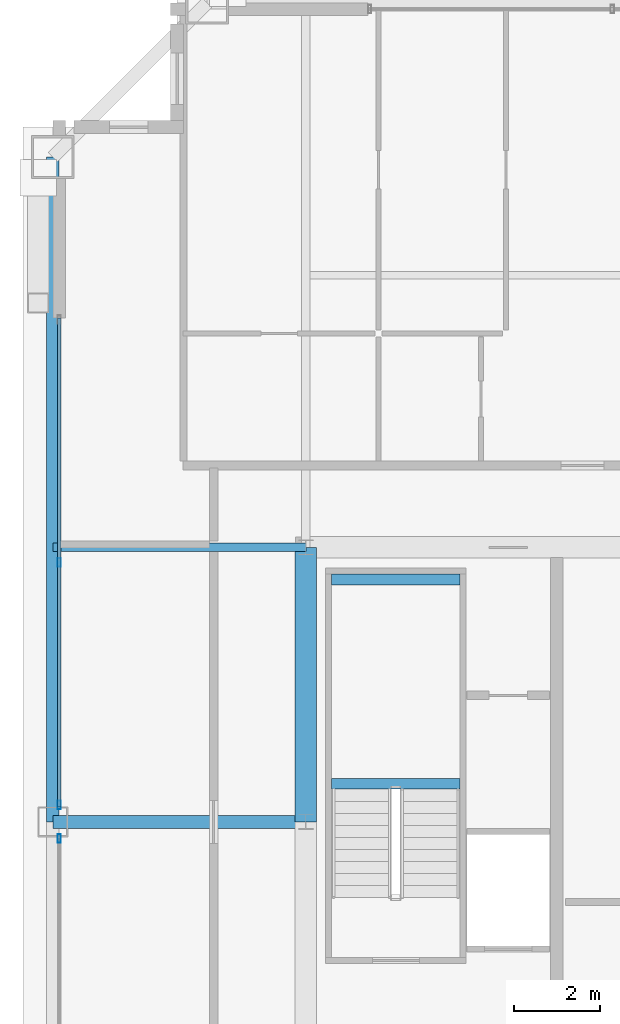
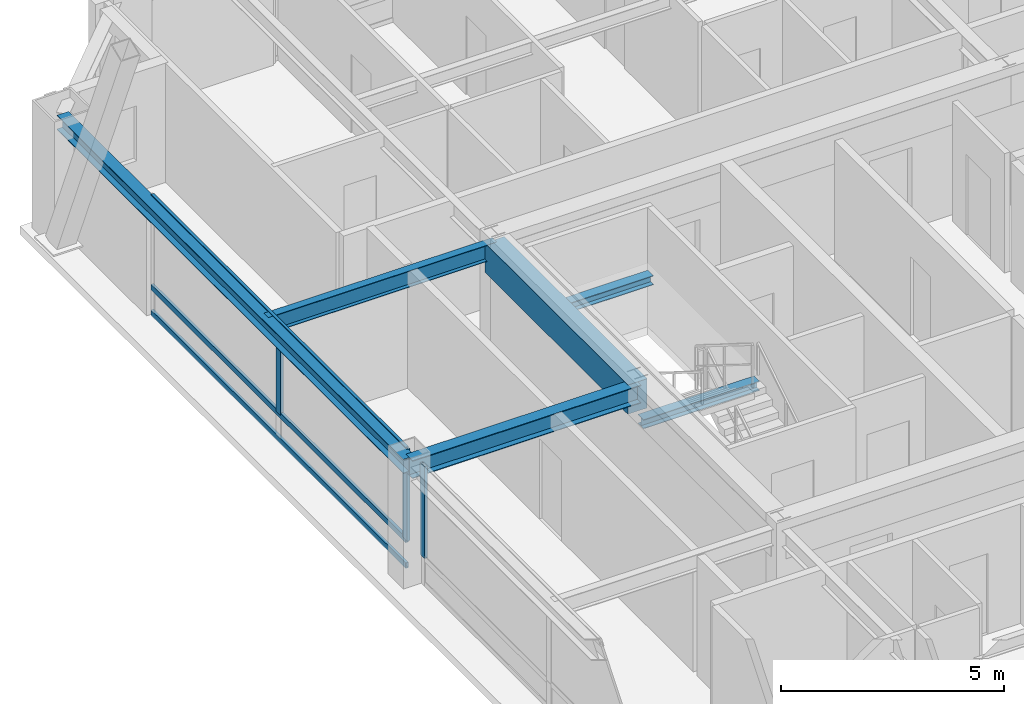
# One storey, part 11 of 35: 6 beams, 6 members, 2 elements without a shape of their own.
"""IFC4 building model written with IfcOpenShell, lengths in metres."""

import ifcopenshell
import ifcopenshell.guid

model = None  # the IFC model being written
_history = None  # IfcOwnerHistory: only IFC2X3 demands one
_inside = {}  # id of a spatial element -> (the spatial element, [elements in it])
_under = {}  # id of a project, library or spatial element -> (it, [spatial elements below it])
_declared = {}  # id of a project -> (the project, [libraries it declares])
_typed = {}  # id of a type object -> (the type object, [elements of that type])
_made_of = {}  # id of a material, layer set ... -> (it, [elements and type objects made of it])


def new_model(schema):
    """Start an empty IFC model of exactly this schema.

    Asked for "IFC4X3", IfcOpenShell would pick the latest addendum, in which some entities
    have other attributes; the version numbers below select the first issue.
    IFC2X3 requires an IfcOwnerHistory on every rooted entity: one is made here for all.
    """
    global model, _history
    if schema == "IFC4X3":
        model = ifcopenshell.file(schema_version=(4, 3, 0, 0))
    else:
        model = ifcopenshell.file(schema=schema)
    _inside.clear()
    _under.clear()
    _declared.clear()
    _typed.clear()
    _made_of.clear()
    _history = None
    if model.schema == "IFC2X3":
        org = make("IfcOrganization", Name="unknown")
        user = make(
            "IfcPersonAndOrganization",
            ThePerson=make("IfcPerson", FamilyName="unknown"),
            TheOrganization=org,
        )
        app = make(
            "IfcApplication",
            ApplicationDeveloper=org,
            Version="unknown",
            ApplicationFullName="unknown",
            ApplicationIdentifier="unknown",
        )
        _history = make(
            "IfcOwnerHistory",
            OwningUser=user,
            OwningApplication=app,
            ChangeAction="ADDED",
            CreationDate=0,
        )
    return model


def make(cls, **values):
    """One entity of the class cls with the attributes given. An attribute that is None is left unset."""
    return model.create_entity(
        cls, **{name: value for name, value in values.items() if value is not None}
    )


def rooted(cls, **values):
    """An entity with a GlobalId (a new one), such as an element, a storey or a relation."""
    return make(cls, GlobalId=ifcopenshell.guid.new(), OwnerHistory=_history, **values)


def si_unit(unit_type, name, prefix=None):
    """IfcSIUnit, for example si_unit("LENGTHUNIT", "METRE", prefix="MILLI")."""
    return make("IfcSIUnit", UnitType=unit_type, Prefix=prefix, Name=name)


def assignment(units):
    """IfcUnitAssignment: the units of a project."""
    return None if units is None else make("IfcUnitAssignment", Units=units)


def point(xyz):
    """IfcCartesianPoint."""
    return None if xyz is None else make("IfcCartesianPoint", Coordinates=xyz)


def direction(xyz):
    """IfcDirection."""
    return None if xyz is None else make("IfcDirection", DirectionRatios=xyz)


def frame(location, z_axis=None, x_axis=None):
    """IfcAxis2Placement3D, a coordinate frame: its origin and axes. An axis left out is left unset."""
    return make(
        "IfcAxis2Placement3D",
        Location=point(location),
        Axis=direction(z_axis),
        RefDirection=direction(x_axis),
    )


def frame_2d(location, x_axis=None):
    """IfcAxis2Placement2D, a coordinate frame in the plane: its origin and x axis."""
    return make(
        "IfcAxis2Placement2D", Location=point(location), RefDirection=direction(x_axis)
    )


def origin():
    """The frame at (0, 0, 0) with its axes left unset."""
    return frame((0.0, 0.0, 0.0))


def origin_2d():
    """The frame at (0, 0) in the plane with its x axis left unset."""
    return frame_2d((0.0, 0.0))


def place(relative_to, where):
    """IfcLocalPlacement: puts the frame where relative to a parent placement (None: the world)."""
    return make(
        "IfcLocalPlacement", PlacementRelTo=relative_to, RelativePlacement=where
    )


def context(
    kind, dimensions, precision=None, world=None, true_north=None, identifier=None
):
    """IfcGeometricRepresentationContext, for example the 3D "Model" context."""
    return make(
        "IfcGeometricRepresentationContext",
        ContextIdentifier=identifier,
        ContextType=kind,
        CoordinateSpaceDimension=dimensions,
        Precision=precision,
        WorldCoordinateSystem=world,
        TrueNorth=true_north,
    )


def subcontext(parent, identifier, kind, view, scale=None):
    """IfcGeometricRepresentationSubContext, for example "Body" below "Model"."""
    return make(
        "IfcGeometricRepresentationSubContext",
        ContextIdentifier=identifier,
        ContextType=kind,
        ParentContext=parent,
        TargetScale=scale,
        TargetView=view,
    )


def project(units=None, contexts=None):
    """IfcProject with its units and contexts."""
    return rooted(
        "IfcProject",
        Name="project",
        RepresentationContexts=contexts,
        UnitsInContext=assignment(units),
    )


def spatial(cls, under=None, at=None, **own):
    """A site, building, storey or space (cls), placed at a placement, below another one or the project."""
    s = rooted(cls, ObjectPlacement=at, **own)
    if under is not None:
        _under.setdefault(under.id(), (under, []))[1].append(s)
    return s


def profile(cls, at=None, kind="AREA", **sizes):
    """A parametric profile (cls). Its sizes go by their IFC names, for example OverallWidth=200.0."""
    return make(cls, ProfileType=kind, Position=at, **sizes)


def rectangle(**sizes):
    """IfcRectangleProfileDef."""
    return profile("IfcRectangleProfileDef", **sizes)


def hollow_rectangle(**sizes):
    """IfcRectangleHollowProfileDef."""
    return profile("IfcRectangleHollowProfileDef", **sizes)


def i_section(**sizes):
    """IfcIShapeProfileDef."""
    return profile("IfcIShapeProfileDef", **sizes)


def extrude(swept, where, along, depth):
    """IfcExtrudedAreaSolid: the profile swept, set in the frame where, extruded along a direction by depth."""
    return make(
        "IfcExtrudedAreaSolid",
        SweptArea=swept,
        Position=where,
        ExtrudedDirection=direction(along),
        Depth=depth,
    )


def shape(context_of_items, identifier, shape_type, items):
    """IfcShapeRepresentation: the items that make up one representation, for example the "Body"."""
    return make(
        "IfcShapeRepresentation",
        ContextOfItems=context_of_items,
        RepresentationIdentifier=identifier,
        RepresentationType=shape_type,
        Items=items,
    )


def source(mapping_origin, context_of_items, identifier, shape_type, items):
    """IfcRepresentationMap: a shape defined once, which mapped items show again and again."""
    return make(
        "IfcRepresentationMap",
        MappingOrigin=mapping_origin,
        MappedRepresentation=shape(context_of_items, identifier, shape_type, items),
    )


def transform(
    local_origin,
    x_axis=None,
    y_axis=None,
    z_axis=None,
    scale=None,
    scale2=None,
    scale3=None,
    uniform=True,
):
    """IfcCartesianTransformationOperator3D, or its non-uniform kind. x_axis, y_axis, z_axis: its Axis1, 2, 3."""
    if uniform:
        return make(
            "IfcCartesianTransformationOperator3D",
            Axis1=direction(x_axis),
            Axis2=direction(y_axis),
            LocalOrigin=point(local_origin),
            Scale=scale,
            Axis3=direction(z_axis),
        )
    return make(
        "IfcCartesianTransformationOperator3DnonUniform",
        Axis1=direction(x_axis),
        Axis2=direction(y_axis),
        LocalOrigin=point(local_origin),
        Scale=scale,
        Axis3=direction(z_axis),
        Scale2=scale2,
        Scale3=scale3,
    )


def mapped(mapping_source, mapping_target):
    """IfcMappedItem: shows the shape of a source again, moved by a transform."""
    return make(
        "IfcMappedItem", MappingSource=mapping_source, MappingTarget=mapping_target
    )


def material(Name=None, Category=None):
    """IfcMaterial."""
    return make("IfcMaterial", Name=Name, Category=Category)


def layer(
    of_material, thickness, ventilated=None, Name=None, Category=None, Priority=None
):
    """IfcMaterialLayer: one layer of a wall or slab, of a material (None: an air gap)."""
    return make(
        "IfcMaterialLayer",
        Material=of_material,
        LayerThickness=thickness,
        IsVentilated=ventilated,
        Name=Name,
        Category=Category,
        Priority=Priority,
    )


def layer_set(layers, Name=None):
    """IfcMaterialLayerSet."""
    return make("IfcMaterialLayerSet", MaterialLayers=layers, LayerSetName=Name)


def material_profile(
    of_material, cross_section, Name=None, Category=None, Priority=None
):
    """IfcMaterialProfile: a cross section and its material."""
    return make(
        "IfcMaterialProfile",
        Name=Name,
        Material=of_material,
        Profile=cross_section,
        Priority=Priority,
        Category=Category,
    )


def profile_set(profiles, Name=None, composite=None):
    """IfcMaterialProfileSet."""
    return make(
        "IfcMaterialProfileSet",
        Name=Name,
        MaterialProfiles=profiles,
        CompositeProfile=composite,
    )


def made_of(thing, what):
    """Note that an element or type object is made of a material, layer set ...; save() writes the relation."""
    if what is not None:
        _made_of.setdefault(what.id(), (what, []))[1].append(thing)
    return thing


def type_object(cls, material=None, **own):
    """A type object (cls), such as IfcWallType, which elements share."""
    return made_of(rooted(cls, **own), material)


def element(
    cls,
    number,
    at=None,
    inside=None,
    cuts=None,
    type_object=None,
    material=None,
    context=None,
    identifier="Body",
    shape_type=None,
    held_by="IfcProductDefinitionShape",
    body=None,
    shapes=None,
    **own,
):
    """One element of the class cls, such as IfcWall. Its Tag is "e" and its number.

    at: its placement. inside: the storey or other place that contains it. cuts: it is an
    opening in that element (IfcRelVoidsElement). A single representation is given by context,
    identifier, shape_type and body (its items); several are given by shapes. held_by: the class
    of the entity that holds the representations. save() writes the other relations.
    """
    e = rooted(cls, Tag="e%d" % number, ObjectPlacement=at, **own)
    if body is not None:
        shapes = [shape(context, identifier, shape_type, body)]
    if shapes is not None:
        e.Representation = make(held_by, Representations=shapes)
    if inside is not None:
        _inside.setdefault(inside.id(), (inside, []))[1].append(e)
    if cuts is not None:
        rooted(
            "IfcRelVoidsElement", RelatingBuildingElement=cuts, RelatedOpeningElement=e
        )
    if type_object is not None:
        _typed.setdefault(type_object.id(), (type_object, []))[1].append(e)
    return made_of(e, material)


def aggregate(whole, parts):
    """IfcRelAggregates: a whole, such as a stair, and the parts it consists of."""
    return rooted("IfcRelAggregates", RelatingObject=whole, RelatedObjects=parts)


def save(model, path):
    """Write the relations noted so far, then the file.

    IfcRelAggregates (storeys below a building ...), IfcRelContainedInSpatialStructure (elements
    in a storey), IfcRelDefinesByType, IfcRelAssociatesMaterial and IfcRelDeclares: one each for
    every whole, place, type object, material and project.
    """
    for whole, parts in _under.values():
        aggregate(whole, parts)
    for where, things in _inside.values():
        rooted(
            "IfcRelContainedInSpatialStructure",
            RelatedElements=things,
            RelatingStructure=where,
        )
    for kind, things in _typed.values():
        rooted("IfcRelDefinesByType", RelatedObjects=things, RelatingType=kind)
    for what, things in _made_of.values():
        rooted("IfcRelAssociatesMaterial", RelatedObjects=things, RelatingMaterial=what)
    for by, libraries in _declared.values():
        rooted("IfcRelDeclares", RelatingContext=by, RelatedDefinitions=libraries)
    model.write(path)


model = new_model("IFC4")

# Units and contexts
model_context = context("Model", 3, precision=1e-05, world=origin(), true_north=direction((0.0, 1.0)))
body_context = subcontext(model_context, "Body", "Model", "MODEL_VIEW")
ifc_project = project(units=[si_unit("LENGTHUNIT", "METRE"), si_unit("AREAUNIT", "SQUARE_METRE"), si_unit("VOLUMEUNIT", "CUBIC_METRE"), si_unit("PLANEANGLEUNIT", "RADIAN"), si_unit("MASSUNIT", "GRAM", prefix="KILO"), si_unit("THERMODYNAMICTEMPERATUREUNIT", "KELVIN"), si_unit("POWERUNIT", "WATT")], contexts=[model_context])

# Site, building, storey
site_placement = place(None, origin())
site = spatial("IfcSite", under=ifc_project, at=site_placement, CompositionType="ELEMENT")
building_placement = place(site_placement, origin())
building = spatial("IfcBuilding", under=site, at=building_placement, Name="Yuzanri Waterfront Tower", CompositionType="ELEMENT")
storey_placement = place(building_placement, frame((0.0, 0.0, 335.699951171875)))
storey = spatial("IfcBuildingStorey", under=building, at=storey_placement, Name="L90", CompositionType="ELEMENT", Elevation=335.699951171875)

# Beams
ifc_material_1 = material(Name="Concrete C50", Category="concrete")
ifc_material_profile_1 = material_profile(ifc_material_1, rectangle(XDim=0.5, YDim=0.800048828125, at=origin_2d()), Name="RC 500x800")
ifc_profile_set_1 = profile_set([ifc_material_profile_1], Name="Concrete C50")
beam_type_1 = type_object("IfcBeamType", Name="Core Coupling Lintel Concrete C50 500x800", PredefinedType="LINTEL", material=ifc_profile_set_1)
shared_shape_1 = source(origin(), body_context, "Body", "SweptSolid", [
    extrude(rectangle(XDim=0.5, YDim=0.800048828125, at=origin_2d()), origin(), (0.0, 0.0, 1.0), 6.39990234375),
])
beam_1_placement = place(storey_placement, frame((23.800048828125, 25.800048828125, 2.860107421875), z_axis=(0.0, 1.0, 0.0), x_axis=(-1.0, 0.0, 0.0)))
element("IfcBeam", 1, at=beam_1_placement, inside=storey, type_object=beam_type_1, Name="L90 Core Tie Beam CW2", PredefinedType="LINTEL", context=body_context, shape_type="MappedRepresentation", body=[
    mapped(shared_shape_1, transform((0.0, 0.0, 0.0), scale=1.0)),
])
ifc_material_2 = material(Name="Steel Q355B", Category="steel")
ifc_material_profile_2 = material_profile(ifc_material_2, i_section(OverallWidth=0.300048828125, OverallDepth=0.389892578125, WebThickness=0.010009765625, FlangeThickness=0.01611328125, at=origin_2d()), Name="HM 390x300x10x16")
ifc_profile_set_2 = profile_set([ifc_material_profile_2], Name="Steel Q355B")
beam_type_2 = type_object("IfcBeamType", Name="Perimeter Spandrel Q355B HM 390x300", PredefinedType="SPANDREL", material=ifc_profile_set_2)
shared_shape_2 = source(origin(), body_context, "Body", "SweptSolid", [
    extrude(i_section(OverallWidth=0.300048828125, OverallDepth=0.389892578125, WebThickness=0.010009765625, FlangeThickness=0.01611328125, at=origin_2d()), origin(), (0.0, 0.0, 1.0), 15.5),
])
beam_2_placement = place(storey_placement, frame((17.89990234375, 41.300048828125, 3.06494140625), z_axis=(0.0, -1.0, 0.0), x_axis=(1.0, 0.0, 0.0)))
element("IfcBeam", 2, at=beam_2_placement, inside=storey, type_object=beam_type_2, Name="L90 Perimeter Spandrel W3-W2", PredefinedType="SPANDREL", context=body_context, shape_type="MappedRepresentation", body=[
    mapped(shared_shape_2, transform((0.0, 0.0, 0.0), scale=1.0)),
])
ifc_material_3 = material(Name="Steel Q355B", Category="steel")
ifc_material_profile_3 = material_profile(ifc_material_3, i_section(OverallWidth=0.300048828125, OverallDepth=0.488037109375, WebThickness=0.010986328125, FlangeThickness=0.01806640625, at=origin_2d()), Name="HM 488x300x11x18")
ifc_profile_set_3 = profile_set([ifc_material_profile_3], Name="Steel Q355B")
beam_type_3 = type_object("IfcBeamType", Name="Primary Floor Girder Q355B HM 488x300", PredefinedType="BEAM", material=ifc_profile_set_3)
shared_shape_3 = source(origin(), body_context, "Body", "SweptSolid", [
    extrude(i_section(OverallWidth=0.300048828125, OverallDepth=0.488037109375, WebThickness=0.010986328125, FlangeThickness=0.01806640625, at=origin_2d()), origin(), (0.0, 0.0, 1.0), 5.900146484375),
])
beam_3_placement = place(storey_placement, frame((23.800048828125, 25.800048828125, 3.01611328125), z_axis=(-1.0, 0.0, 0.0), x_axis=(0.0, -1.0, 0.0)))
element("IfcBeam", 3, at=beam_3_placement, inside=storey, type_object=beam_type_3, Name="L90 West Grid Girder", PredefinedType="BEAM", context=body_context, shape_type="MappedRepresentation", body=[
    mapped(shared_shape_3, transform((0.0, 0.0, 0.0), scale=1.0)),
])
ifc_material_4 = material(Name="Steel Q355B", Category="steel")
ifc_material_profile_4 = material_profile(ifc_material_4, i_section(OverallWidth=0.199951171875, OverallDepth=0.449951171875, WebThickness=0.009033203125, FlangeThickness=0.013916015625, at=origin_2d()), Name="HN 450x200x9x14")
ifc_profile_set_4 = profile_set([ifc_material_profile_4], Name="Steel Q355B")
beam_type_4 = type_object("IfcBeamType", Name="Secondary Floor Beam Q355B HN 450x200", PredefinedType="BEAM", material=ifc_profile_set_4)
shared_shape_4 = source(origin(), body_context, "Body", "SweptSolid", [
    extrude(i_section(OverallWidth=0.199951171875, OverallDepth=0.449951171875, WebThickness=0.009033203125, FlangeThickness=0.013916015625, at=origin_2d()), origin(), (0.0, 0.0, 1.0), 5.900146484375),
])
beam_4_placement = place(storey_placement, frame((23.800048828125, 32.199951171875, 3.03515625), z_axis=(-1.0, 0.0, 0.0), x_axis=(0.0, -1.0, 0.0)))
element("IfcBeam", 4, at=beam_4_placement, inside=storey, type_object=beam_type_4, Name="L90 West-North Core Line Beam", PredefinedType="BEAM", context=body_context, shape_type="MappedRepresentation", body=[
    mapped(shared_shape_4, transform((0.0, 0.0, 0.0), scale=1.0)),
])

# Curtain wall, members
ifc_material_5 = material(Name="Anodized Architectural Bronze", Category="metal")
ifc_layer = layer(ifc_material_5, 0.159912109375)
ifc_layer_set = layer_set([ifc_layer], Name="Anodized Architectural Bronze")
curtain_wall_type = type_object("IfcCurtainWallType", Name="Anodized Bronze High-Rise Penthouse High-Wind Unitized Curtain Wall 6900", PredefinedType="NOTDEFINED", material=ifc_layer_set)
curtain_wall_1_placement = place(storey_placement, origin())
curtain_wall_1 = element("IfcCurtainWall", 5, at=curtain_wall_1_placement, inside=storey, type_object=curtain_wall_type, Name="L90 Curtain Wall CW-L90-WR", PredefinedType="NOTDEFINED")
ifc_material_6 = material(Name="Anodized Architectural Bronze", Category="metal")
ifc_material_profile_5 = material_profile(ifc_material_6, hollow_rectangle(XDim=0.074951171875, YDim=0.14990234375, WallThickness=0.00390625, at=origin_2d()), Name="CWT 75x150")
ifc_profile_set_5 = profile_set([ifc_material_profile_5], Name="Anodized Architectural Bronze")
member_type_1 = type_object("IfcMemberType", Name="Anodized Bronze Primary Curtain-Wall Transom 75x150", PredefinedType="USERDEFINED", material=ifc_profile_set_5)
shared_shape_5 = source(origin(), body_context, "Body", "SweptSolid", [
    extrude(hollow_rectangle(XDim=0.074951171875, YDim=0.14990234375, WallThickness=0.00390625, at=origin_2d()), origin(), (0.0, 0.0, 1.0), 11.400146484375),
])
member_1_placement = place(storey_placement, frame((18.050048828125, 26.14990234375, 0.050048828125), z_axis=(0.0, 1.0, 0.0), x_axis=(-1.0, 0.0, 0.0)))
member_1 = element("IfcMember", 6, at=member_1_placement, type_object=member_type_1, Name="CW-L90-WR Transom 1", ObjectType="TRANSOM", PredefinedType="USERDEFINED", context=body_context, shape_type="MappedRepresentation", body=[
    mapped(shared_shape_5, transform((0.0, 0.0, 0.0), scale=1.0)),
])
member_2_placement = place(storey_placement, frame((18.050048828125, 26.14990234375, 0.75), z_axis=(0.0, 1.0, 0.0), x_axis=(-1.0, 0.0, 0.0)))
member_2 = element("IfcMember", 7, at=member_2_placement, type_object=member_type_1, Name="CW-L90-WR Transom 2", ObjectType="TRANSOM", PredefinedType="USERDEFINED", context=body_context, shape_type="MappedRepresentation", body=[
    mapped(shared_shape_5, transform((0.0, 0.0, 0.0), scale=1.0)),
])
member_3_placement = place(storey_placement, frame((18.050048828125, 26.14990234375, 3.2099609375), z_axis=(0.0, 1.0, 0.0), x_axis=(-1.0, 0.0, 0.0)))
member_3 = element("IfcMember", 8, at=member_3_placement, type_object=member_type_1, Name="CW-L90-WR Transom 3", ObjectType="TRANSOM", PredefinedType="USERDEFINED", context=body_context, shape_type="MappedRepresentation", body=[
    mapped(shared_shape_5, transform((0.0, 0.0, 0.0), scale=1.0)),
])

# Curtain wall, member
curtain_wall_2_placement = place(storey_placement, origin())
curtain_wall_2 = element("IfcCurtainWall", 9, at=curtain_wall_2_placement, inside=storey, type_object=curtain_wall_type, Name="L90 Curtain Wall CW-L90-WL", PredefinedType="NOTDEFINED")
ifc_material_7 = material(Name="Anodized Architectural Bronze", Category="metal")
ifc_material_profile_6 = material_profile(ifc_material_7, hollow_rectangle(XDim=0.074951171875, YDim=0.199951171875, WallThickness=0.00390625, at=origin_2d()), Name="CWM 75x200")
ifc_profile_set_6 = profile_set([ifc_material_profile_6], Name="Anodized Architectural Bronze")
member_type_2 = type_object("IfcMemberType", Name="Anodized Bronze Primary Curtain-Wall Mullion 75x200", PredefinedType="MULLION", material=ifc_profile_set_6)
shared_shape_6 = source(origin(), body_context, "Body", "SweptSolid", [
    extrude(hollow_rectangle(XDim=0.074951171875, YDim=0.199951171875, WallThickness=0.00390625, at=origin_2d()), origin(), (0.0, 0.0, 1.0), 2.508056640625),
])
member_4_placement = place(storey_placement, frame((18.050048828125, 25.409912109375, 0.751953125), z_axis=(0.0, 0.0, 1.0), x_axis=(1.0, 0.0, 0.0)))
member_4 = element("IfcMember", 10, at=member_4_placement, type_object=member_type_2, Name="CW-L90-WL Upper Mullion 02", PredefinedType="MULLION", context=body_context, shape_type="MappedRepresentation", body=[
    mapped(shared_shape_6, transform((0.0, 0.0, 0.0), scale=1.0)),
])
aggregate(curtain_wall_2, [member_4])

# Member
member_5_placement = place(storey_placement, frame((18.050048828125, 26.18994140625, 0.751953125), z_axis=(0.0, 0.0, 1.0), x_axis=(1.0, 0.0, 0.0)))
member_5 = element("IfcMember", 11, at=member_5_placement, type_object=member_type_2, Name="CW-L90-WR Upper Mullion 00", PredefinedType="MULLION", context=body_context, shape_type="MappedRepresentation", body=[
    mapped(shared_shape_6, transform((0.0, 0.0, 0.0), scale=1.0)),
])

member_6_placement = place(storey_placement, frame((18.050048828125, 31.85009765625, 0.751953125), z_axis=(0.0, 0.0, 1.0), x_axis=(1.0, 0.0, 0.0)))
member_6 = element("IfcMember", 12, at=member_6_placement, type_object=member_type_2, Name="CW-L90-WR Upper Mullion 01", PredefinedType="MULLION", context=body_context, shape_type="MappedRepresentation", body=[
    mapped(shared_shape_6, transform((0.0, 0.0, 0.0), scale=1.0)),
])

aggregate(curtain_wall_1, [member_5, member_6, member_1, member_2, member_3])

# Beams
ifc_material_8 = material(Name="Steel Q355B", Category="steel")
ifc_material_profile_7 = material_profile(ifc_material_8, i_section(OverallWidth=0.25, OverallDepth=0.25, WebThickness=0.009033203125, FlangeThickness=0.013916015625, at=origin_2d()), Name="HW 250x250x9x14")
ifc_profile_set_7 = profile_set([ifc_material_profile_7], Name="Steel Q355B")
beam_type_5 = type_object("IfcBeamType", Name="Stair Landing Support Beam Q355B HW 250x250", PredefinedType="BEAM", material=ifc_profile_set_7)
shared_shape_7 = source(origin(), body_context, "Body", "SweptSolid", [
    extrude(i_section(OverallWidth=0.25, OverallDepth=0.25, WebThickness=0.009033203125, FlangeThickness=0.013916015625, at=origin_2d()), origin(), (0.0, 0.0, 1.0), 3.0),
])
for number, where, z_axis, x_axis, name in (
    (13, (24.39990234375, 26.68994140625, 1.425048828125), (1.0, 0.0, 0.0), (0.0, 1.0, 0.0), "L90 Stair Landing Support Beam ST-01-L90-L1-1"),
    (14, (24.39990234375, 31.449951171875, 1.425048828125), (1.0, 0.0, 0.0), (0.0, 1.0, 0.0), "L90 Stair Landing Support Beam ST-01-L90-L1-2"),
):
    element("IfcBeam", number, at=place(storey_placement, frame(where, z_axis=z_axis, x_axis=x_axis)), inside=storey, type_object=beam_type_5, Name=name, PredefinedType="BEAM", context=body_context, shape_type="MappedRepresentation", body=[
        mapped(shared_shape_7, transform((0.0, 0.0, 0.0), scale=1.0)),
    ])

save(model, "model.ifc")
